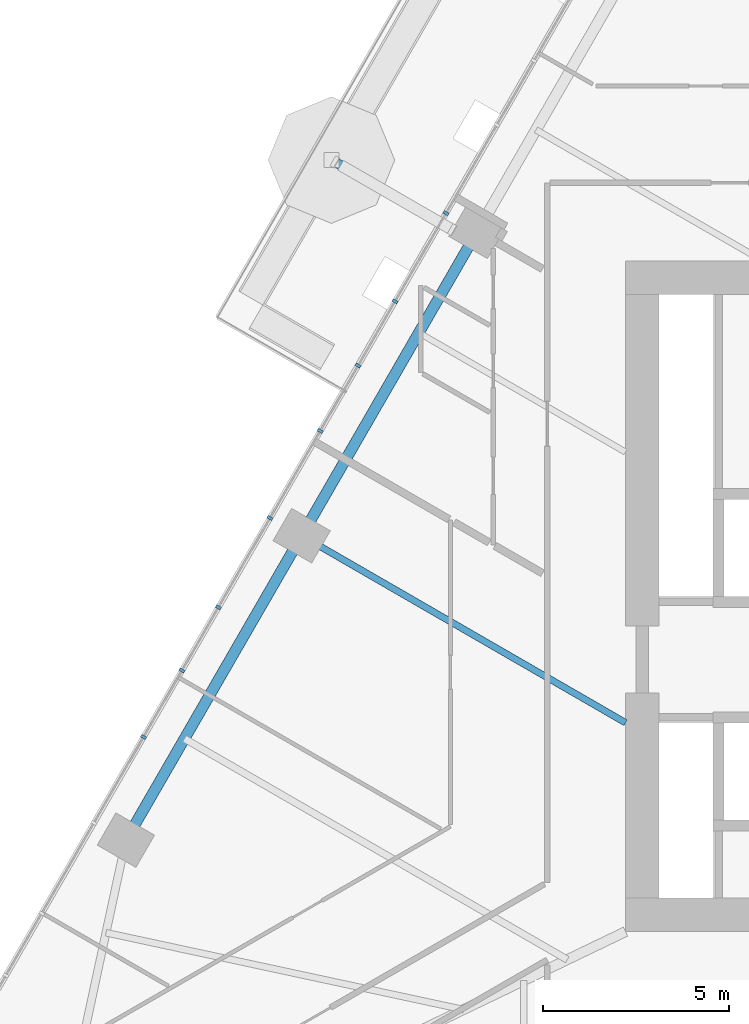
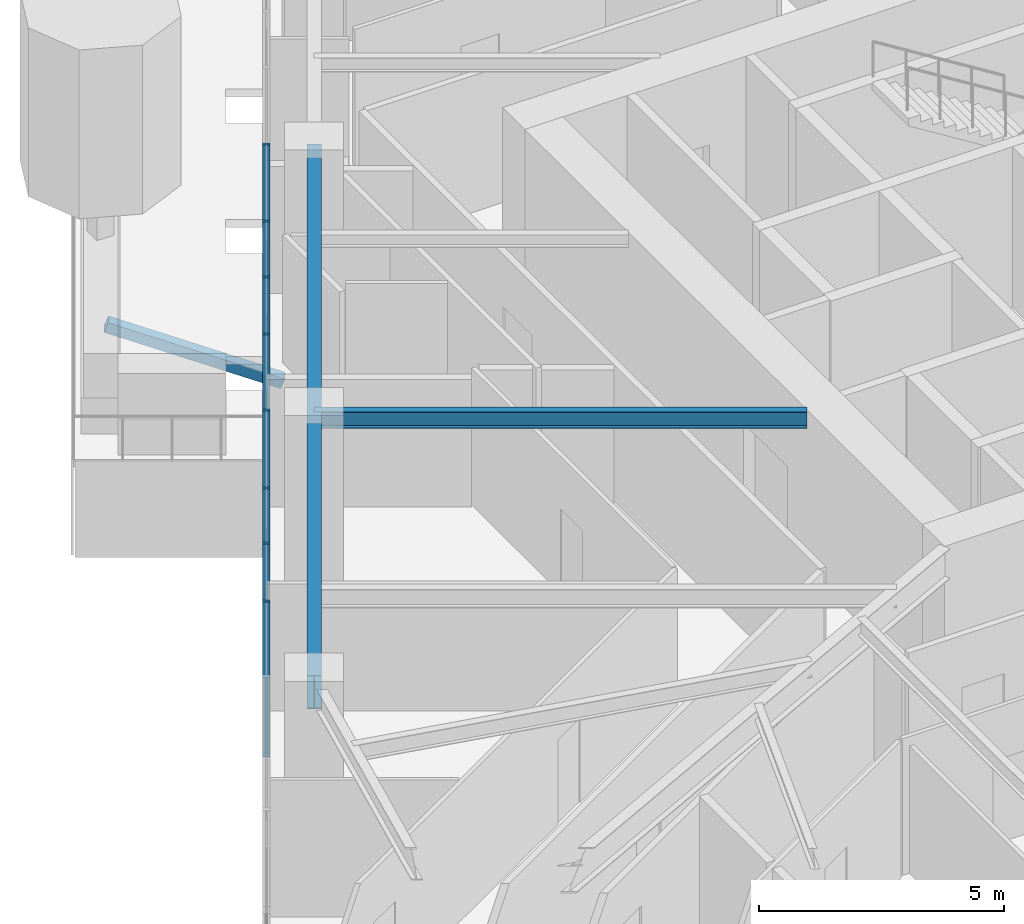
# One storey, part 4 of 25: 9 members, 2 beams, 1 element without a shape of its own.
"""IFC4 building model written with IfcOpenShell, lengths in metres."""

from ifc_helpers import new_model, si_unit, direction, frame, origin, origin_2d, place, context, subcontext, project, spatial, rectangle, hollow_rectangle, i_section, extrude, material, layer, layer_set, material_profile, profile_set, type_object, element, aggregate, save


model = new_model("IFC4")

# Units and contexts
model_context = context("Model", 3, precision=1e-05, world=origin(), true_north=direction((0.0, 1.0)))
body_context = subcontext(model_context, "Body", "Model", "MODEL_VIEW")
ifc_project = project(units=[si_unit("LENGTHUNIT", "METRE"), si_unit("AREAUNIT", "SQUARE_METRE"), si_unit("VOLUMEUNIT", "CUBIC_METRE"), si_unit("PLANEANGLEUNIT", "RADIAN"), si_unit("MASSUNIT", "GRAM", prefix="KILO")], contexts=[model_context])

# Site, building, storey
site_placement = place(None, origin())
site = spatial("IfcSite", under=ifc_project, at=site_placement, CompositionType="ELEMENT")
building_placement = place(site_placement, origin())
building = spatial("IfcBuilding", under=site, at=building_placement, Name="Firuza Gate Tower and Library", CompositionType="ELEMENT")
storey_placement = place(building_placement, frame((0.0, 0.0, 86.199951171875)))
storey = spatial("IfcBuildingStorey", under=building, at=storey_placement, Name="L19", CompositionType="ELEMENT", Elevation=86.199951171875)

# Curtain wall, members
ifc_material_1 = material(Name="Aluminium 6063-T6", Category="aluminium")
ifc_layer = layer(ifc_material_1, 0.14990234375)
ifc_layer_set = layer_set([ifc_layer], Name="Unitised curtain wall, offices")
curtain_wall_type = type_object("IfcCurtainWallType", Name="Unitised curtain wall, offices", PredefinedType="NOTDEFINED", material=ifc_layer_set)
curtain_wall_placement = place(storey_placement, origin())
curtain_wall = element("IfcCurtainWall", 1, at=curtain_wall_placement, inside=storey, type_object=curtain_wall_type, Name="CW1 L19 W face", PredefinedType="NOTDEFINED")
ifc_material_2 = material(Name="Aluminium 6063-T6", Category="aluminium")
ifc_material_profile_1 = material_profile(ifc_material_2, rectangle(XDim=0.14990234375, YDim=0.080078125, at=origin_2d()))
ifc_profile_set_1 = profile_set([ifc_material_profile_1], Name="Aluminium 6063-T6")
member_type_1 = type_object("IfcMemberType", Name="Curtain wall mullion 80x150", PredefinedType="MULLION", material=ifc_profile_set_1)
member_1_placement = place(storey_placement, frame((57.180908203125, 85.287841796875, 0.150146484375), z_axis=(0.0, 0.0, 1.0), x_axis=(0.866025403784, -0.5, 0.0)))
member_1 = element("IfcMember", 2, at=member_1_placement, type_object=member_type_1, Name="Mullion", PredefinedType="MULLION", context=body_context, shape_type="SweptSolid", body=[
    extrude(rectangle(XDim=0.14990234375, YDim=0.080078125, at=origin_2d()), origin(), (0.0, 0.0, 1.0), 3.849853515625),
])
member_2_placement = place(storey_placement, frame((54.818115234375, 81.19580078125, 0.150146484375), z_axis=(0.0, 0.0, 1.0), x_axis=(0.866025403784, -0.5, 0.0)))
member_2 = element("IfcMember", 3, at=member_2_placement, type_object=member_type_1, Name="Mullion", PredefinedType="MULLION", context=body_context, shape_type="SweptSolid", body=[
    extrude(rectangle(XDim=0.14990234375, YDim=0.080078125, at=origin_2d()), origin(), (0.0, 0.0, 1.0), 3.849853515625),
])
member_3_placement = place(storey_placement, frame((52.45556640625, 77.103515625, 0.150146484375), z_axis=(0.0, 0.0, 1.0), x_axis=(0.866025403784, -0.5, 0.0)))
member_3 = element("IfcMember", 4, at=member_3_placement, type_object=member_type_1, Name="Mullion", PredefinedType="MULLION", context=body_context, shape_type="SweptSolid", body=[
    extrude(rectangle(XDim=0.14990234375, YDim=0.080078125, at=origin_2d()), origin(), (0.0, 0.0, 1.0), 3.849853515625),
])
member_4_placement = place(storey_placement, frame((50.093017578125, 73.01123046875, 0.150146484375), z_axis=(0.0, 0.0, 1.0), x_axis=(0.866025403784, -0.5, 0.0)))
member_4 = element("IfcMember", 5, at=member_4_placement, type_object=member_type_1, Name="Mullion", PredefinedType="MULLION", context=body_context, shape_type="SweptSolid", body=[
    extrude(rectangle(XDim=0.14990234375, YDim=0.080078125, at=origin_2d()), origin(), (0.0, 0.0, 1.0), 3.849853515625),
])
member_5_placement = place(storey_placement, frame((55.81396484375, 82.920654296875, 0.150146484375), z_axis=(0.0, 0.0, 1.0), x_axis=(0.866025403784, -0.5, 0.0)))
member_5 = element("IfcMember", 6, at=member_5_placement, type_object=member_type_1, Name="Mullion", PredefinedType="MULLION", context=body_context, shape_type="SweptSolid", body=[
    extrude(rectangle(XDim=0.14990234375, YDim=0.080078125, at=origin_2d()), origin(), (0.0, 0.0, 1.0), 3.849853515625),
])
member_6_placement = place(storey_placement, frame((53.804931640625, 79.440673828125, 0.150146484375), z_axis=(0.0, 0.0, 1.0), x_axis=(0.866025403784, -0.5, 0.0)))
member_6 = element("IfcMember", 7, at=member_6_placement, type_object=member_type_1, Name="Mullion", PredefinedType="MULLION", context=body_context, shape_type="SweptSolid", body=[
    extrude(rectangle(XDim=0.14990234375, YDim=0.080078125, at=origin_2d()), origin(), (0.0, 0.0, 1.0), 3.849853515625),
])
member_7_placement = place(storey_placement, frame((51.0712890625, 74.7060546875, 0.150146484375), z_axis=(0.0, 0.0, 1.0), x_axis=(0.866025403784, -0.5, 0.0)))
member_7 = element("IfcMember", 8, at=member_7_placement, type_object=member_type_1, Name="Mullion", PredefinedType="MULLION", context=body_context, shape_type="SweptSolid", body=[
    extrude(rectangle(XDim=0.14990234375, YDim=0.080078125, at=origin_2d()), origin(), (0.0, 0.0, 1.0), 3.849853515625),
])
member_8_placement = place(storey_placement, frame((49.062255859375, 71.226318359375, 0.150146484375), z_axis=(0.0, 0.0, 1.0), x_axis=(0.866025403784, -0.5, 0.0)))
member_8 = element("IfcMember", 9, at=member_8_placement, type_object=member_type_1, Name="Mullion", PredefinedType="MULLION", context=body_context, shape_type="SweptSolid", body=[
    extrude(rectangle(XDim=0.14990234375, YDim=0.080078125, at=origin_2d()), origin(), (0.0, 0.0, 1.0), 3.849853515625),
])
aggregate(curtain_wall, [member_1, member_2, member_3, member_4, member_5, member_6, member_7, member_8])

# Member
ifc_material_3 = material(Name="Steel S355", Category="steel")
ifc_material_profile_2 = material_profile(ifc_material_3, hollow_rectangle(XDim=0.25390625, YDim=0.25390625, WallThickness=0.01171875, at=origin_2d()))
ifc_profile_set_2 = profile_set([ifc_material_profile_2], Name="Steel S355")
member_type_2 = type_object("IfcMemberType", Name="HSS254x254x13 Tray strut", PredefinedType="BRACE", material=ifc_profile_set_2)
member_9_placement = place(storey_placement, frame((57.3251953125, 84.858154296875, -1.669921875), z_axis=(-0.807140949077, 0.466018027999, 0.362423351763), x_axis=(-0.500012057535, -0.866018442252, 0.0)))
element("IfcMember", 10, at=member_9_placement, inside=storey, type_object=member_type_2, Name="Tray strut L19 col:L18:W3", PredefinedType="BRACE", context=body_context, shape_type="SweptSolid", body=[
    extrude(hollow_rectangle(XDim=0.25390625, YDim=0.25390625, WallThickness=0.01171875, at=origin_2d()), origin(), (0.0, 0.0, 1.0), 3.862548828125),
])

# Beams
ifc_material_4 = material(Name="Steel S355", Category="steel")
ifc_material_profile_3 = material_profile(ifc_material_4, i_section(OverallWidth=0.177978515625, OverallDepth=0.406982421875, WebThickness=0.0078125, FlangeThickness=0.0126953125, at=origin_2d()))
ifc_profile_set_3 = profile_set([ifc_material_profile_3], Name="Steel S355")
beam_type_1 = type_object("IfcBeamType", Name="W410x60 Floor beam", PredefinedType="JOIST", material=ifc_profile_set_3)
beam_1_placement = place(storey_placement, frame((53.30712890625, 76.62841796875, 3.796630859375), z_axis=(0.866026811742, -0.499997561338, 0.0), x_axis=(0.499997561338, 0.866026811742, 0.0)))
element("IfcBeam", 11, at=beam_1_placement, inside=storey, type_object=beam_type_1, Name="Floor beam L19 s84", PredefinedType="JOIST", context=body_context, shape_type="SweptSolid", body=[
    extrude(i_section(OverallWidth=0.177978515625, OverallDepth=0.406982421875, WebThickness=0.0078125, FlangeThickness=0.0126953125, at=origin_2d()), origin(), (0.0, 0.0, 1.0), 10.03759765625),
])
ifc_material_5 = material(Name="Steel S355", Category="steel")
ifc_material_profile_4 = material_profile(ifc_material_5, i_section(OverallWidth=0.2919921875, OverallDepth=0.8349609375, WebThickness=0.013916015625, FlangeThickness=0.018798828125, at=origin_2d()))
ifc_profile_set_4 = profile_set([ifc_material_profile_4], Name="Steel S355")
beam_type_2 = type_object("IfcBeamType", Name="W840x176 Edge beam", PredefinedType="SPANDREL", material=ifc_profile_set_4)
beam_2_placement = place(storey_placement, frame((58.025146484375, 84.80029296875, 3.58251953125), z_axis=(-0.499998676387, -0.866026167971, 0.0), x_axis=(0.866026167971, -0.499998676387, 0.0)))
element("IfcBeam", 12, at=beam_2_placement, inside=storey, type_object=beam_type_2, Name="Edge beam L19 e82", PredefinedType="SPANDREL", context=body_context, shape_type="SweptSolid", body=[
    extrude(i_section(OverallWidth=0.2919921875, OverallDepth=0.8349609375, WebThickness=0.013916015625, FlangeThickness=0.018798828125, at=origin_2d()), origin(), (0.0, 0.0, 1.0), 18.8720703125),
])

save(model, "model.ifc")
